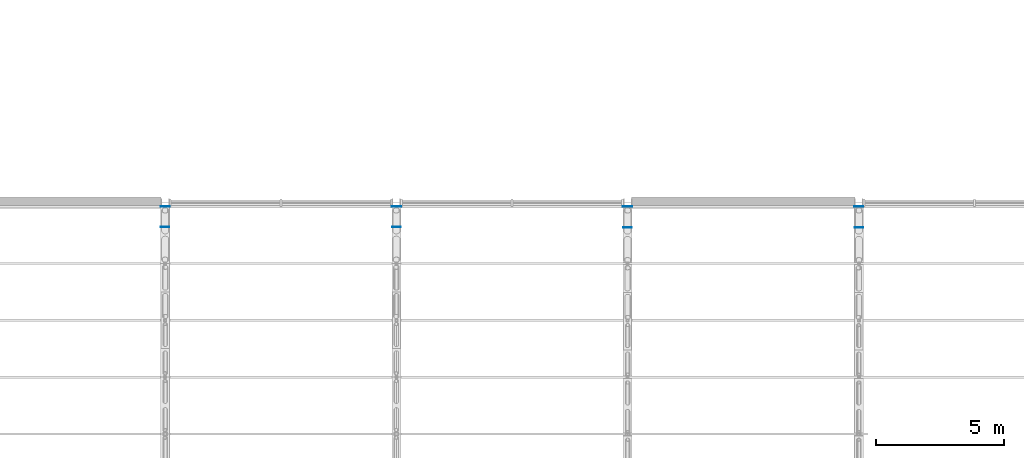
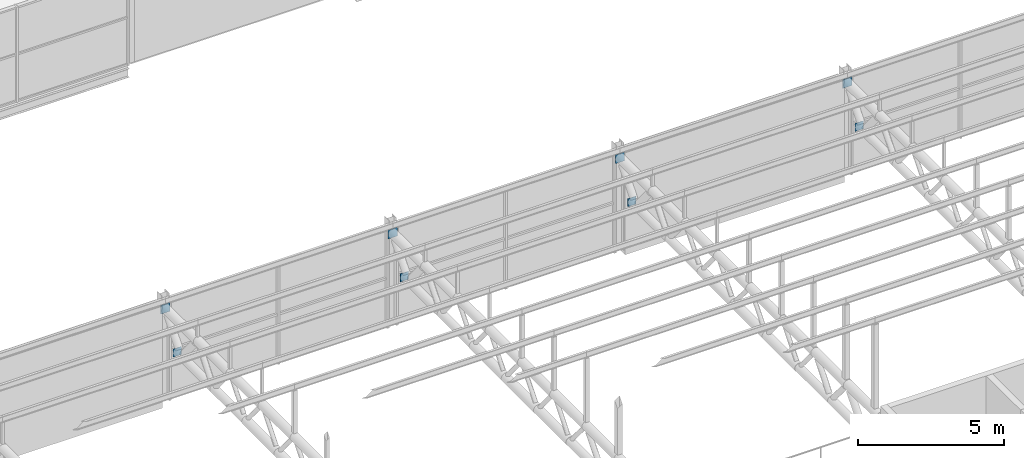
# One storey, part 108 of 138: 8 plates.
"""IFC4 building model written with IfcOpenShell, lengths in metres."""

from ifc_helpers import new_model, si_unit, direction, frame, origin, origin_2d, place, context, subcontext, project, spatial, rectangle, extrude, material, layer, layer_set, type_object, element, save


model = new_model("IFC4")

# Units and contexts
model_context = context("Model", 3, precision=1e-05, world=origin(), true_north=direction((0.0, 1.0)))
body_context = subcontext(model_context, "Body", "Model", "MODEL_VIEW")
ifc_project = project(units=[si_unit("LENGTHUNIT", "METRE"), si_unit("AREAUNIT", "SQUARE_METRE"), si_unit("VOLUMEUNIT", "CUBIC_METRE"), si_unit("PLANEANGLEUNIT", "RADIAN"), si_unit("MASSUNIT", "GRAM", prefix="KILO")], contexts=[model_context])

# Site, building, storey
site_placement = place(None, origin())
site = spatial("IfcSite", under=ifc_project, at=site_placement, CompositionType="ELEMENT")
building_placement = place(site_placement, origin())
building = spatial("IfcBuilding", under=site, at=building_placement, Name="Corbel Yard City Hall", CompositionType="ELEMENT")
storey_placement = place(building_placement, frame((0.0, 0.0, 10.5)))
storey = spatial("IfcBuildingStorey", under=building, at=storey_placement, Name="L02", CompositionType="ELEMENT", Elevation=10.5)

# Plates
ifc_material = material(Name="Steel Grade 300 (300 MPa yield)", Category="steel")
ifc_layer_1 = layer(ifc_material, 0.01611328125)
ifc_layer_set_1 = layer_set([ifc_layer_1], Name="Steel Grade 300 (300 MPa yield)")
plate_type_1 = type_object("IfcPlateType", Name="Truss bottom chord cap plate", PredefinedType="NOTDEFINED", material=ifc_layer_set_1)
for number, where, z_axis, x_axis, name in (
    (1, (99.0, 26.049560546875, 2.42724609375), (0.0, 0.0, 1.0), (1.0, 0.0, 0.0), "Truss bottom chord cap plate EP2"),
    (2, (108.0, 26.049560546875, 2.42724609375), (0.0, 0.0, 1.0), (1.0, 0.0, 0.0), "Truss bottom chord cap plate EP2"),
    (3, (117.0, 26.0400390625, 2.42724609375), (0.0, 0.0, 1.0), (1.0, 0.0, 0.0), "Truss bottom chord cap plate EP2"),
    (4, (126.0, 26.0400390625, 2.42724609375), (0.0, 0.0, 1.0), (1.0, 0.0, 0.0), "Truss bottom chord cap plate EP2"),
):
    element("IfcPlate", number, at=place(storey_placement, frame(where, z_axis=z_axis, x_axis=x_axis)), inside=storey, type_object=plate_type_1, Name=name, PredefinedType="NOTDEFINED", context=body_context, shape_type="SweptSolid", body=[
        extrude(rectangle(XDim=0.330078125, YDim=0.01611328125, at=origin_2d()), origin(), (0.0, 0.0, 1.0), 0.330078125),
    ])
ifc_layer_2 = layer(ifc_material, 0.02490234375)
ifc_layer_set_2 = layer_set([ifc_layer_2], Name="Steel Grade 300 (300 MPa yield)")
plate_type_2 = type_object("IfcPlateType", Name="Truss top chord end plate", PredefinedType="NOTDEFINED", material=ifc_layer_set_2)
for number, where, z_axis, x_axis, name in (
    (5, (99.0, 26.860107421875, 3.7421875), (0.0, 0.0, 1.0), (1.0, 0.0, 0.0), "Truss top chord end plate EP1"),
    (6, (108.0, 26.860107421875, 3.7421875), (0.0, 0.0, 1.0), (1.0, 0.0, 0.0), "Truss top chord end plate EP1"),
    (7, (117.0, 26.860107421875, 3.7421875), (0.0, 0.0, 1.0), (1.0, 0.0, 0.0), "Truss top chord end plate EP1"),
    (8, (126.0, 26.860107421875, 3.7421875), (0.0, 0.0, 1.0), (1.0, 0.0, 0.0), "Truss top chord end plate EP1"),
):
    element("IfcPlate", number, at=place(storey_placement, frame(where, z_axis=z_axis, x_axis=x_axis)), inside=storey, type_object=plate_type_2, Name=name, PredefinedType="NOTDEFINED", context=body_context, shape_type="SweptSolid", body=[
        extrude(rectangle(XDim=0.360107421875, YDim=0.02490234375, at=origin_2d()), origin(), (0.0, 0.0, 1.0), 0.360107421875),
    ])

save(model, "model.ifc")
